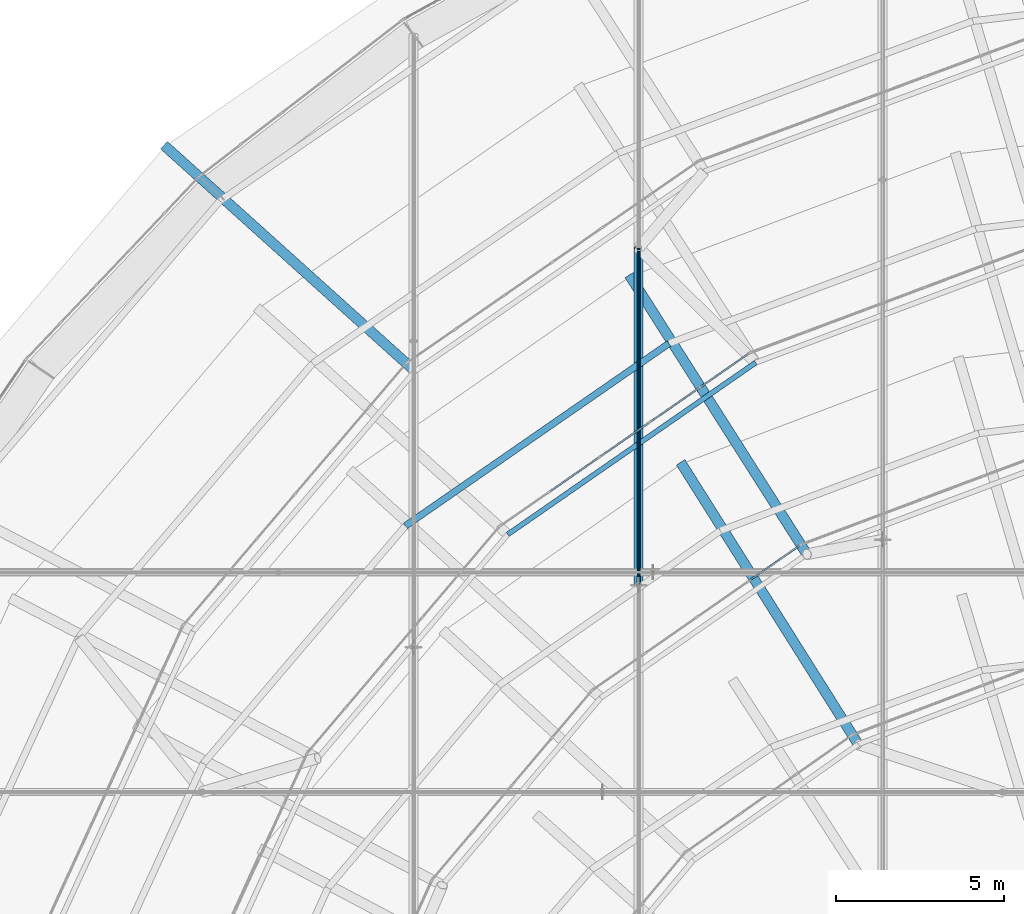
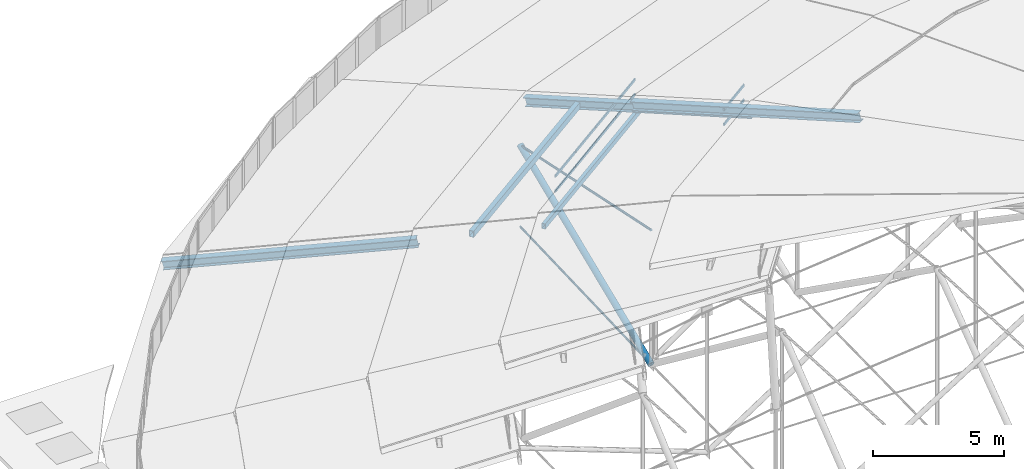
# One storey, part 104 of 173: 18 members, 2 elements without a shape of their own.
"""IFC4 building model written with IfcOpenShell, lengths in metres."""

import ifcopenshell
import ifcopenshell.guid

model = None  # the IFC model being written
_history = None  # IfcOwnerHistory: only IFC2X3 demands one
_inside = {}  # id of a spatial element -> (the spatial element, [elements in it])
_under = {}  # id of a project, library or spatial element -> (it, [spatial elements below it])
_declared = {}  # id of a project -> (the project, [libraries it declares])
_typed = {}  # id of a type object -> (the type object, [elements of that type])
_made_of = {}  # id of a material, layer set ... -> (it, [elements and type objects made of it])


def new_model(schema):
    """Start an empty IFC model of exactly this schema.

    Asked for "IFC4X3", IfcOpenShell would pick the latest addendum, in which some entities
    have other attributes; the version numbers below select the first issue.
    IFC2X3 requires an IfcOwnerHistory on every rooted entity: one is made here for all.
    """
    global model, _history
    if schema == "IFC4X3":
        model = ifcopenshell.file(schema_version=(4, 3, 0, 0))
    else:
        model = ifcopenshell.file(schema=schema)
    _inside.clear()
    _under.clear()
    _declared.clear()
    _typed.clear()
    _made_of.clear()
    _history = None
    if model.schema == "IFC2X3":
        org = make("IfcOrganization", Name="unknown")
        user = make(
            "IfcPersonAndOrganization",
            ThePerson=make("IfcPerson", FamilyName="unknown"),
            TheOrganization=org,
        )
        app = make(
            "IfcApplication",
            ApplicationDeveloper=org,
            Version="unknown",
            ApplicationFullName="unknown",
            ApplicationIdentifier="unknown",
        )
        _history = make(
            "IfcOwnerHistory",
            OwningUser=user,
            OwningApplication=app,
            ChangeAction="ADDED",
            CreationDate=0,
        )
    return model


def make(cls, **values):
    """One entity of the class cls with the attributes given. An attribute that is None is left unset."""
    return model.create_entity(
        cls, **{name: value for name, value in values.items() if value is not None}
    )


def rooted(cls, **values):
    """An entity with a GlobalId (a new one), such as an element, a storey or a relation."""
    return make(cls, GlobalId=ifcopenshell.guid.new(), OwnerHistory=_history, **values)


def si_unit(unit_type, name, prefix=None):
    """IfcSIUnit, for example si_unit("LENGTHUNIT", "METRE", prefix="MILLI")."""
    return make("IfcSIUnit", UnitType=unit_type, Prefix=prefix, Name=name)


def assignment(units):
    """IfcUnitAssignment: the units of a project."""
    return None if units is None else make("IfcUnitAssignment", Units=units)


def point(xyz):
    """IfcCartesianPoint."""
    return None if xyz is None else make("IfcCartesianPoint", Coordinates=xyz)


def direction(xyz):
    """IfcDirection."""
    return None if xyz is None else make("IfcDirection", DirectionRatios=xyz)


def frame(location, z_axis=None, x_axis=None):
    """IfcAxis2Placement3D, a coordinate frame: its origin and axes. An axis left out is left unset."""
    return make(
        "IfcAxis2Placement3D",
        Location=point(location),
        Axis=direction(z_axis),
        RefDirection=direction(x_axis),
    )


def frame_2d(location, x_axis=None):
    """IfcAxis2Placement2D, a coordinate frame in the plane: its origin and x axis."""
    return make(
        "IfcAxis2Placement2D", Location=point(location), RefDirection=direction(x_axis)
    )


def origin():
    """The frame at (0, 0, 0) with its axes left unset."""
    return frame((0.0, 0.0, 0.0))


def origin_2d():
    """The frame at (0, 0) in the plane with its x axis left unset."""
    return frame_2d((0.0, 0.0))


def place(relative_to, where):
    """IfcLocalPlacement: puts the frame where relative to a parent placement (None: the world)."""
    return make(
        "IfcLocalPlacement", PlacementRelTo=relative_to, RelativePlacement=where
    )


def context(
    kind, dimensions, precision=None, world=None, true_north=None, identifier=None
):
    """IfcGeometricRepresentationContext, for example the 3D "Model" context."""
    return make(
        "IfcGeometricRepresentationContext",
        ContextIdentifier=identifier,
        ContextType=kind,
        CoordinateSpaceDimension=dimensions,
        Precision=precision,
        WorldCoordinateSystem=world,
        TrueNorth=true_north,
    )


def subcontext(parent, identifier, kind, view, scale=None):
    """IfcGeometricRepresentationSubContext, for example "Body" below "Model"."""
    return make(
        "IfcGeometricRepresentationSubContext",
        ContextIdentifier=identifier,
        ContextType=kind,
        ParentContext=parent,
        TargetScale=scale,
        TargetView=view,
    )


def project(units=None, contexts=None):
    """IfcProject with its units and contexts."""
    return rooted(
        "IfcProject",
        Name="project",
        RepresentationContexts=contexts,
        UnitsInContext=assignment(units),
    )


def spatial(cls, under=None, at=None, **own):
    """A site, building, storey or space (cls), placed at a placement, below another one or the project."""
    s = rooted(cls, ObjectPlacement=at, **own)
    if under is not None:
        _under.setdefault(under.id(), (under, []))[1].append(s)
    return s


def profile(cls, at=None, kind="AREA", **sizes):
    """A parametric profile (cls). Its sizes go by their IFC names, for example OverallWidth=200.0."""
    return make(cls, ProfileType=kind, Position=at, **sizes)


def rectangle(**sizes):
    """IfcRectangleProfileDef."""
    return profile("IfcRectangleProfileDef", **sizes)


def hollow_rectangle(**sizes):
    """IfcRectangleHollowProfileDef."""
    return profile("IfcRectangleHollowProfileDef", **sizes)


def circle(**sizes):
    """IfcCircleProfileDef."""
    return profile("IfcCircleProfileDef", **sizes)


def hollow_circle(**sizes):
    """IfcCircleHollowProfileDef."""
    return profile("IfcCircleHollowProfileDef", **sizes)


def i_section(**sizes):
    """IfcIShapeProfileDef."""
    return profile("IfcIShapeProfileDef", **sizes)


def extrude(swept, where, along, depth):
    """IfcExtrudedAreaSolid: the profile swept, set in the frame where, extruded along a direction by depth."""
    return make(
        "IfcExtrudedAreaSolid",
        SweptArea=swept,
        Position=where,
        ExtrudedDirection=direction(along),
        Depth=depth,
    )


def shape(context_of_items, identifier, shape_type, items):
    """IfcShapeRepresentation: the items that make up one representation, for example the "Body"."""
    return make(
        "IfcShapeRepresentation",
        ContextOfItems=context_of_items,
        RepresentationIdentifier=identifier,
        RepresentationType=shape_type,
        Items=items,
    )


def material(Name=None, Category=None):
    """IfcMaterial."""
    return make("IfcMaterial", Name=Name, Category=Category)


def material_profile(
    of_material, cross_section, Name=None, Category=None, Priority=None
):
    """IfcMaterialProfile: a cross section and its material."""
    return make(
        "IfcMaterialProfile",
        Name=Name,
        Material=of_material,
        Profile=cross_section,
        Priority=Priority,
        Category=Category,
    )


def profile_set(profiles, Name=None, composite=None):
    """IfcMaterialProfileSet."""
    return make(
        "IfcMaterialProfileSet",
        Name=Name,
        MaterialProfiles=profiles,
        CompositeProfile=composite,
    )


def made_of(thing, what):
    """Note that an element or type object is made of a material, layer set ...; save() writes the relation."""
    if what is not None:
        _made_of.setdefault(what.id(), (what, []))[1].append(thing)
    return thing


def type_object(cls, material=None, **own):
    """A type object (cls), such as IfcWallType, which elements share."""
    return made_of(rooted(cls, **own), material)


def element(
    cls,
    number,
    at=None,
    inside=None,
    cuts=None,
    type_object=None,
    material=None,
    context=None,
    identifier="Body",
    shape_type=None,
    held_by="IfcProductDefinitionShape",
    body=None,
    shapes=None,
    **own,
):
    """One element of the class cls, such as IfcWall. Its Tag is "e" and its number.

    at: its placement. inside: the storey or other place that contains it. cuts: it is an
    opening in that element (IfcRelVoidsElement). A single representation is given by context,
    identifier, shape_type and body (its items); several are given by shapes. held_by: the class
    of the entity that holds the representations. save() writes the other relations.
    """
    e = rooted(cls, Tag="e%d" % number, ObjectPlacement=at, **own)
    if body is not None:
        shapes = [shape(context, identifier, shape_type, body)]
    if shapes is not None:
        e.Representation = make(held_by, Representations=shapes)
    if inside is not None:
        _inside.setdefault(inside.id(), (inside, []))[1].append(e)
    if cuts is not None:
        rooted(
            "IfcRelVoidsElement", RelatingBuildingElement=cuts, RelatedOpeningElement=e
        )
    if type_object is not None:
        _typed.setdefault(type_object.id(), (type_object, []))[1].append(e)
    return made_of(e, material)


def aggregate(whole, parts):
    """IfcRelAggregates: a whole, such as a stair, and the parts it consists of."""
    return rooted("IfcRelAggregates", RelatingObject=whole, RelatedObjects=parts)


def save(model, path):
    """Write the relations noted so far, then the file.

    IfcRelAggregates (storeys below a building ...), IfcRelContainedInSpatialStructure (elements
    in a storey), IfcRelDefinesByType, IfcRelAssociatesMaterial and IfcRelDeclares: one each for
    every whole, place, type object, material and project.
    """
    for whole, parts in _under.values():
        aggregate(whole, parts)
    for where, things in _inside.values():
        rooted(
            "IfcRelContainedInSpatialStructure",
            RelatedElements=things,
            RelatingStructure=where,
        )
    for kind, things in _typed.values():
        rooted("IfcRelDefinesByType", RelatedObjects=things, RelatingType=kind)
    for what, things in _made_of.values():
        rooted("IfcRelAssociatesMaterial", RelatedObjects=things, RelatingMaterial=what)
    for by, libraries in _declared.values():
        rooted("IfcRelDeclares", RelatingContext=by, RelatedDefinitions=libraries)
    model.write(path)


model = new_model("IFC4")

# Units and contexts
model_context = context("Model", 3, precision=1e-05, world=origin(), true_north=direction((0.0, 1.0)))
body_context = subcontext(model_context, "Body", "Model", "MODEL_VIEW")
ifc_project = project(units=[si_unit("LENGTHUNIT", "METRE"), si_unit("AREAUNIT", "SQUARE_METRE"), si_unit("VOLUMEUNIT", "CUBIC_METRE"), si_unit("PLANEANGLEUNIT", "RADIAN"), si_unit("MASSUNIT", "GRAM", prefix="KILO")], contexts=[model_context])

# Site, building, storey
site_placement = place(None, origin())
site = spatial("IfcSite", under=ifc_project, at=site_placement, CompositionType="ELEMENT")
building_placement = place(site_placement, origin())
building = spatial("IfcBuilding", under=site, at=building_placement, Name="Glasvene Arena", CompositionType="ELEMENT")
storey_placement = place(building_placement, frame((0.0, 0.0, 28.800048828125)))
storey = spatial("IfcBuildingStorey", under=building, at=storey_placement, Name="RF", CompositionType="ELEMENT", Elevation=28.800048828125)

# Curtain wall, members
ifc_material_1 = material(Name="Low-emissivity laminated double glazing", Category="glass")
curtain_wall_type_1 = type_object("IfcCurtainWallType", Name="CW-PET2-905x75", PredefinedType="USERDEFINED", material=ifc_material_1)
curtain_wall_1_placement = place(storey_placement, frame((72.60009765625, 99.952392578125, 0.0)))
curtain_wall_1 = element("IfcCurtainWall", 1, at=curtain_wall_1_placement, inside=storey, type_object=curtain_wall_type_1, Name="Petal ring 2-3 clerestory curtain wall 09", ObjectType="CURTAIN WALL", PredefinedType="USERDEFINED")
ifc_material_2 = material(Name="Anodised architectural aluminium", Category="aluminium")
ifc_material_profile_1 = material_profile(ifc_material_2, rectangle(XDim=0.050048828125, YDim=0.1201171875, at=origin_2d()), Name="ALU TRANSOM 50x120")
ifc_profile_set_1 = profile_set([ifc_material_profile_1], Name="Anodised architectural aluminium")
member_type_1 = type_object("IfcMemberType", Name="CW-TRN-120", PredefinedType="USERDEFINED", material=ifc_profile_set_1)
member_1_placement = place(storey_placement, frame((72.558837890625, 99.924072265625, 5.204833984375), z_axis=(-0.821644611614, -0.57000011597, 0.0), x_axis=(0.57000011597, -0.821644611614, 0.0)))
member_1 = element("IfcMember", 2, at=member_1_placement, type_object=member_type_1, Name="CW-090 transom 1.1", ObjectType="TRANSOM", PredefinedType="USERDEFINED", context=body_context, shape_type="SweptSolid", body=[
    extrude(rectangle(XDim=0.050048828125, YDim=0.1201171875, at=origin_2d()), origin(), (0.0, 0.0, 1.0), 1.734619140625),
])
member_2_placement = place(storey_placement, frame((72.558837890625, 99.924072265625, 5.905029296875), z_axis=(-0.821644611614, -0.57000011597, 0.0), x_axis=(0.57000011597, -0.821644611614, 0.0)))
member_2 = element("IfcMember", 3, at=member_2_placement, type_object=member_type_1, Name="CW-090 transom 1.2", ObjectType="TRANSOM", PredefinedType="USERDEFINED", context=body_context, shape_type="SweptSolid", body=[
    extrude(rectangle(XDim=0.050048828125, YDim=0.1201171875, at=origin_2d()), origin(), (0.0, 0.0, 1.0), 1.734619140625),
])
member_3_placement = place(storey_placement, frame((71.092529296875, 98.906982421875, 5.204833984375), z_axis=(-0.821707443011, -0.569909535014, 0.0), x_axis=(0.569909535014, -0.821707443011, 0.0)))
member_3 = element("IfcMember", 4, at=member_3_placement, type_object=member_type_1, Name="CW-090 transom 2.1", ObjectType="TRANSOM", PredefinedType="USERDEFINED", context=body_context, shape_type="SweptSolid", body=[
    extrude(rectangle(XDim=0.050048828125, YDim=0.1201171875, at=origin_2d()), origin(), (0.0, 0.0, 1.0), 1.759765625),
])
member_4_placement = place(storey_placement, frame((71.092529296875, 98.906982421875, 5.905029296875), z_axis=(-0.821707443011, -0.569909535014, 0.0), x_axis=(0.569909535014, -0.821707443011, 0.0)))
member_4 = element("IfcMember", 5, at=member_4_placement, type_object=member_type_1, Name="CW-090 transom 2.2", ObjectType="TRANSOM", PredefinedType="USERDEFINED", context=body_context, shape_type="SweptSolid", body=[
    extrude(rectangle(XDim=0.050048828125, YDim=0.1201171875, at=origin_2d()), origin(), (0.0, 0.0, 1.0), 1.759765625),
])
member_5_placement = place(storey_placement, frame((69.60546875, 97.87548828125, 5.204833984375), z_axis=(-0.821707443011, -0.569909535014, 0.0), x_axis=(0.569909535014, -0.821707443011, 0.0)))
member_5 = element("IfcMember", 6, at=member_5_placement, type_object=member_type_1, Name="CW-090 transom 3.1", ObjectType="TRANSOM", PredefinedType="USERDEFINED", context=body_context, shape_type="SweptSolid", body=[
    extrude(rectangle(XDim=0.050048828125, YDim=0.1201171875, at=origin_2d()), origin(), (0.0, 0.0, 1.0), 1.759765625),
])
member_6_placement = place(storey_placement, frame((69.60546875, 97.87548828125, 5.905029296875), z_axis=(-0.821707443011, -0.569909535014, 0.0), x_axis=(0.569909535014, -0.821707443011, 0.0)))
member_6 = element("IfcMember", 7, at=member_6_placement, type_object=member_type_1, Name="CW-090 transom 3.2", ObjectType="TRANSOM", PredefinedType="USERDEFINED", context=body_context, shape_type="SweptSolid", body=[
    extrude(rectangle(XDim=0.050048828125, YDim=0.1201171875, at=origin_2d()), origin(), (0.0, 0.0, 1.0), 1.759765625),
])
member_7_placement = place(storey_placement, frame((68.118408203125, 96.843994140625, 5.204833984375), z_axis=(-0.821772410678, -0.569815851875, 0.0), x_axis=(0.569815851875, -0.821772410678, 0.0)))
member_7 = element("IfcMember", 8, at=member_7_placement, type_object=member_type_1, Name="CW-090 transom 4.1", ObjectType="TRANSOM", PredefinedType="USERDEFINED", context=body_context, shape_type="SweptSolid", body=[
    extrude(rectangle(XDim=0.050048828125, YDim=0.1201171875, at=origin_2d()), origin(), (0.0, 0.0, 1.0), 1.759765625),
])
member_8_placement = place(storey_placement, frame((68.118408203125, 96.843994140625, 5.905029296875), z_axis=(-0.821772410678, -0.569815851875, 0.0), x_axis=(0.569815851875, -0.821772410678, 0.0)))
member_8 = element("IfcMember", 9, at=member_8_placement, type_object=member_type_1, Name="CW-090 transom 4.2", ObjectType="TRANSOM", PredefinedType="USERDEFINED", context=body_context, shape_type="SweptSolid", body=[
    extrude(rectangle(XDim=0.050048828125, YDim=0.1201171875, at=origin_2d()), origin(), (0.0, 0.0, 1.0), 1.759765625),
])
aggregate(curtain_wall_1, [member_1, member_2, member_3, member_4, member_5, member_6, member_7, member_8])

curtain_wall_type_2 = type_object("IfcCurtainWallType", Name="CW-PET3-756x75", PredefinedType="USERDEFINED", material=ifc_material_1)
curtain_wall_2_placement = place(storey_placement, frame((74.125, 94.255859375, 0.0)))
curtain_wall_2 = element("IfcCurtainWall", 10, at=curtain_wall_2_placement, inside=storey, type_object=curtain_wall_type_2, Name="Petal ring 3-4 clerestory curtain wall 09", ObjectType="CURTAIN WALL", PredefinedType="USERDEFINED")
member_9_placement = place(storey_placement, frame((74.083984375, 94.227294921875, 7.85498046875), z_axis=(-0.82043066746, -0.571746027438, 0.0), x_axis=(0.571746027438, -0.82043066746, 0.0)))
member_9 = element("IfcMember", 11, at=member_9_placement, type_object=member_type_1, Name="CW-096 transom 1.1", ObjectType="TRANSOM", PredefinedType="USERDEFINED", context=body_context, shape_type="SweptSolid", body=[
    extrude(rectangle(XDim=0.050048828125, YDim=0.1201171875, at=origin_2d()), origin(), (0.0, 0.0, 1.0), 1.815185546875),
])
member_10_placement = place(storey_placement, frame((74.083984375, 94.227294921875, 8.554931640625), z_axis=(-0.82043066746, -0.571746027438, 0.0), x_axis=(0.571746027438, -0.82043066746, 0.0)))
member_10 = element("IfcMember", 12, at=member_10_placement, type_object=member_type_1, Name="CW-096 transom 1.2", ObjectType="TRANSOM", PredefinedType="USERDEFINED", context=body_context, shape_type="SweptSolid", body=[
    extrude(rectangle(XDim=0.050048828125, YDim=0.1201171875, at=origin_2d()), origin(), (0.0, 0.0, 1.0), 1.815185546875),
])
aggregate(curtain_wall_2, [member_9, member_10])

# Members
ifc_material_3 = material(Name="High-strength steel spiral strand S460", Category="steel")
ifc_material_profile_2 = material_profile(ifc_material_3, circle(Radius=0.052490234375, at=origin_2d()), Name="LCSS D105")
ifc_profile_set_2 = profile_set([ifc_material_profile_2], Name="High-strength steel spiral strand S460")
member_type_2 = type_object("IfcMemberType", Name="MB-CABLE-105", PredefinedType="USERDEFINED", material=ifc_profile_set_2)
member_11_placement = place(storey_placement, frame((69.300537109375, 93.047607421875, 4.1669921875), z_axis=(0.0, 0.978635179544, -0.205604439056), x_axis=(-1.0, 0.0, 0.0)))
element("IfcMember", 13, at=member_11_placement, inside=storey, type_object=member_type_2, Name="Upper lens roof cable NS08-07", ObjectType="ROOF CABLE", PredefinedType="USERDEFINED", context=body_context, shape_type="SweptSolid", body=[
    extrude(circle(Radius=0.052490234375, at=origin_2d()), origin(), (0.0, 0.0, 1.0), 10.24267578125),
])
ifc_material_profile_3 = material_profile(ifc_material_3, circle(Radius=0.044921875, at=origin_2d()), Name="LCSS D90")
ifc_profile_set_3 = profile_set([ifc_material_profile_3], Name="High-strength steel spiral strand S460")
member_type_3 = type_object("IfcMemberType", Name="MB-CABLE-90", PredefinedType="USERDEFINED", material=ifc_profile_set_3)
member_12_placement = place(storey_placement, frame((69.300537109375, 93.047607421875, -2.112548828125), z_axis=(0.0, 0.999357945896, 0.035828703209), x_axis=(-1.0, 0.0, 0.0)))
element("IfcMember", 14, at=member_12_placement, inside=storey, type_object=member_type_3, Name="Lower stabilization roof cable NS08-07", ObjectType="ROOF CABLE", PredefinedType="USERDEFINED", context=body_context, shape_type="SweptSolid", body=[
    extrude(circle(Radius=0.044921875, at=origin_2d()), origin(), (0.0, 0.0, 1.0), 10.0302734375),
])
ifc_material_4 = material(Name="Steel S355J2", Category="steel")
ifc_material_profile_4 = material_profile(ifc_material_4, i_section(OverallWidth=0.300048828125, OverallDepth=0.39990234375, WebThickness=0.013427734375, FlangeThickness=0.02392578125, FilletRadius=0.027099609375, at=origin_2d()), Name="HEB 400")
ifc_profile_set_4 = profile_set([ifc_material_profile_4], Name="Steel S355J2")
member_type_4 = type_object("IfcMemberType", Name="MB-CHORD-HEB400", PredefinedType="CHORD", material=ifc_profile_set_4)
member_13_placement = place(storey_placement, frame((55.23046875, 106.092529296875, -0.400146484375), z_axis=(0.721052228136, -0.648949376347, 0.242792897837), x_axis=(0.668966081985, 0.743292930919, 0.0)))
element("IfcMember", 15, at=member_13_placement, inside=storey, type_object=member_type_4, Name="Petal ring 1 radial rib 10", PredefinedType="CHORD", context=body_context, shape_type="SweptSolid", body=[
    extrude(i_section(OverallWidth=0.300048828125, OverallDepth=0.39990234375, WebThickness=0.013427734375, FlangeThickness=0.02392578125, FilletRadius=0.027099609375, at=origin_2d()), origin(), (0.0, 0.0, 1.0), 10.296875),
])
member_14_placement = place(storey_placement, frame((69.050048828125, 102.223388671875, 4.75), z_axis=(0.518667431982, -0.815482974112, 0.256849399329), x_axis=(0.843790945182, 0.536672004886, 0.0)))
element("IfcMember", 16, at=member_14_placement, inside=storey, type_object=member_type_4, Name="Petal ring 3 radial rib 09", PredefinedType="CHORD", context=body_context, shape_type="SweptSolid", body=[
    extrude(i_section(OverallWidth=0.300048828125, OverallDepth=0.39990234375, WebThickness=0.013427734375, FlangeThickness=0.02392578125, FilletRadius=0.027099609375, at=origin_2d()), origin(), (0.0, 0.0, 1.0), 10.1220703125),
])
member_15_placement = place(storey_placement, frame((70.574951171875, 96.656494140625, 7.39990234375), z_axis=(0.514693165227, -0.81706103894, 0.259811863306), x_axis=(0.846117339199, 0.532996668194, 0.0)))
element("IfcMember", 17, at=member_15_placement, inside=storey, type_object=member_type_4, Name="Petal ring 4 radial rib 09", PredefinedType="CHORD", context=body_context, shape_type="SweptSolid", body=[
    extrude(i_section(OverallWidth=0.300048828125, OverallDepth=0.39990234375, WebThickness=0.013427734375, FlangeThickness=0.02392578125, FilletRadius=0.027099609375, at=origin_2d()), origin(), (0.0, 0.0, 1.0), 10.2001953125),
])
ifc_material_profile_5 = material_profile(ifc_material_4, hollow_rectangle(XDim=0.14990234375, YDim=0.25, WallThickness=0.010009765625, at=origin_2d()), Name="RHS 250x150x10.0")
ifc_profile_set_5 = profile_set([ifc_material_profile_5], Name="Steel S355J2")
member_type_5 = type_object("IfcMemberType", Name="MB-PURLIN-RHS250", PredefinedType="PURLIN", material=ifc_profile_set_5)
member_16_placement = place(storey_placement, frame((72.77490234375, 99.662109375, 4.781982421875), z_axis=(-0.821859459427, -0.569690292133, 0.0), x_axis=(0.569690292133, -0.821859459427, 0.0)))
element("IfcMember", 18, at=member_16_placement, inside=storey, type_object=member_type_5, Name="Petal ring 2 ridge purlin 09", PredefinedType="PURLIN", context=body_context, shape_type="SweptSolid", body=[
    extrude(hollow_rectangle(XDim=0.14990234375, YDim=0.25, WallThickness=0.010009765625, at=origin_2d()), origin(), (0.0, 0.0, 1.0), 8.95849609375),
])
ifc_material_profile_6 = material_profile(ifc_material_4, hollow_rectangle(XDim=0.199951171875, YDim=0.300048828125, WallThickness=0.012451171875, at=origin_2d()), Name="RHS 300x200x12.5")
ifc_profile_set_6 = profile_set([ifc_material_profile_6], Name="Steel S355J2")
member_type_6 = type_object("IfcMemberType", Name="MB-PURLIN-RHS300", PredefinedType="PURLIN", material=ifc_profile_set_6)
member_17_placement = place(storey_placement, frame((70.199951171875, 100.2314453125, 5.33935546875), z_axis=(-0.822222652654, -0.569165977077, 0.0), x_axis=(0.569165977077, -0.822222652654, 0.0)))
element("IfcMember", 19, at=member_17_placement, inside=storey, type_object=member_type_6, Name="Petal ring 3 outer purlin 09", PredefinedType="PURLIN", context=body_context, shape_type="SweptSolid", body=[
    extrude(hollow_rectangle(XDim=0.199951171875, YDim=0.300048828125, WallThickness=0.012451171875, at=origin_2d()), origin(), (0.0, 0.0, 1.0), 9.521240234375),
])
ifc_material_profile_7 = material_profile(ifc_material_4, hollow_circle(Radius=0.136474609375, WallThickness=0.012451171875, at=origin_2d()), Name="CHS 273.0x12.5")
ifc_profile_set_7 = profile_set([ifc_material_profile_7], Name="Steel S355J2")
member_type_7 = type_object("IfcMemberType", Name="MB-WEB-CHS273", PredefinedType="BRACE", material=ifc_profile_set_7)
member_18_placement = place(storey_placement, frame((69.300537109375, 93.047607421875, -2.112548828125), z_axis=(0.0, 0.923176676168, 0.384375889695), x_axis=(-1.0, 0.0, 0.0)))
element("IfcMember", 20, at=member_18_placement, inside=storey, type_object=member_type_7, Name="Cable-truss diagonal web strut NS08-07", PredefinedType="BRACE", context=body_context, shape_type="SweptSolid", body=[
    extrude(hollow_circle(Radius=0.136474609375, WallThickness=0.012451171875, at=origin_2d()), origin(), (0.0, 0.0, 1.0), 10.858154296875),
])

save(model, "model.ifc")
